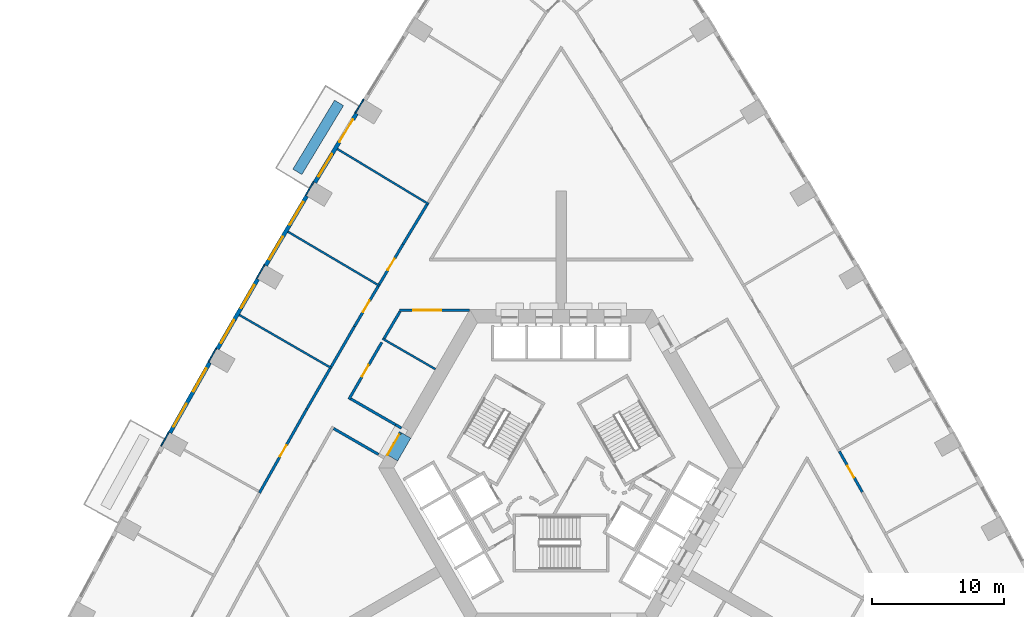
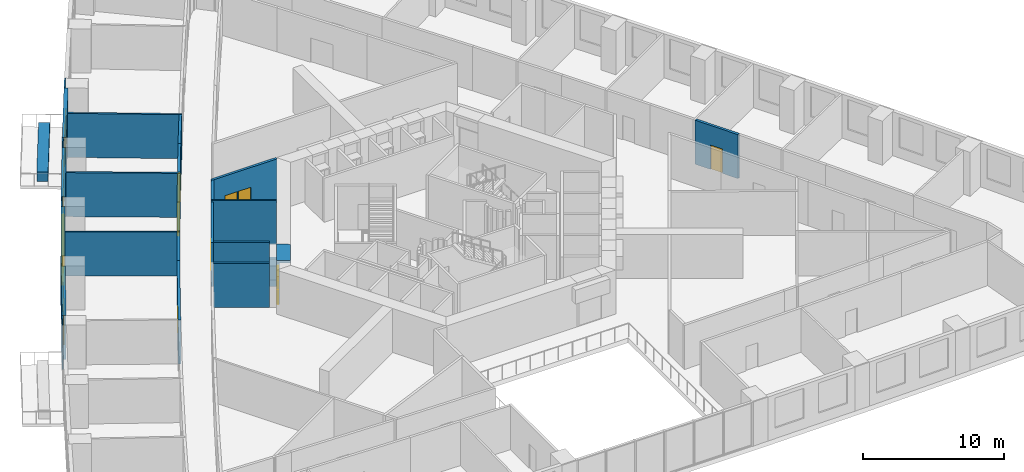
# One storey, part 8 of 16: 29 walls, 9 doors, 7 windows, 16 openings.
"""IFC4 building model written with IfcOpenShell, lengths in metres."""

import ifcopenshell
import ifcopenshell.guid

model = None  # the IFC model being written
_history = None  # IfcOwnerHistory: only IFC2X3 demands one
_inside = {}  # id of a spatial element -> (the spatial element, [elements in it])
_under = {}  # id of a project, library or spatial element -> (it, [spatial elements below it])
_declared = {}  # id of a project -> (the project, [libraries it declares])
_typed = {}  # id of a type object -> (the type object, [elements of that type])
_made_of = {}  # id of a material, layer set ... -> (it, [elements and type objects made of it])


def new_model(schema):
    """Start an empty IFC model of exactly this schema.

    Asked for "IFC4X3", IfcOpenShell would pick the latest addendum, in which some entities
    have other attributes; the version numbers below select the first issue.
    IFC2X3 requires an IfcOwnerHistory on every rooted entity: one is made here for all.
    """
    global model, _history
    if schema == "IFC4X3":
        model = ifcopenshell.file(schema_version=(4, 3, 0, 0))
    else:
        model = ifcopenshell.file(schema=schema)
    _inside.clear()
    _under.clear()
    _declared.clear()
    _typed.clear()
    _made_of.clear()
    _history = None
    if model.schema == "IFC2X3":
        org = make("IfcOrganization", Name="unknown")
        user = make(
            "IfcPersonAndOrganization",
            ThePerson=make("IfcPerson", FamilyName="unknown"),
            TheOrganization=org,
        )
        app = make(
            "IfcApplication",
            ApplicationDeveloper=org,
            Version="unknown",
            ApplicationFullName="unknown",
            ApplicationIdentifier="unknown",
        )
        _history = make(
            "IfcOwnerHistory",
            OwningUser=user,
            OwningApplication=app,
            ChangeAction="ADDED",
            CreationDate=0,
        )
    return model


def make(cls, **values):
    """One entity of the class cls with the attributes given. An attribute that is None is left unset."""
    return model.create_entity(
        cls, **{name: value for name, value in values.items() if value is not None}
    )


def rooted(cls, **values):
    """An entity with a GlobalId (a new one), such as an element, a storey or a relation."""
    return make(cls, GlobalId=ifcopenshell.guid.new(), OwnerHistory=_history, **values)


def si_unit(unit_type, name, prefix=None):
    """IfcSIUnit, for example si_unit("LENGTHUNIT", "METRE", prefix="MILLI")."""
    return make("IfcSIUnit", UnitType=unit_type, Prefix=prefix, Name=name)


def assignment(units):
    """IfcUnitAssignment: the units of a project."""
    return None if units is None else make("IfcUnitAssignment", Units=units)


def point(xyz):
    """IfcCartesianPoint."""
    return None if xyz is None else make("IfcCartesianPoint", Coordinates=xyz)


def direction(xyz):
    """IfcDirection."""
    return None if xyz is None else make("IfcDirection", DirectionRatios=xyz)


def frame(location, z_axis=None, x_axis=None):
    """IfcAxis2Placement3D, a coordinate frame: its origin and axes. An axis left out is left unset."""
    return make(
        "IfcAxis2Placement3D",
        Location=point(location),
        Axis=direction(z_axis),
        RefDirection=direction(x_axis),
    )


def frame_2d(location, x_axis=None):
    """IfcAxis2Placement2D, a coordinate frame in the plane: its origin and x axis."""
    return make(
        "IfcAxis2Placement2D", Location=point(location), RefDirection=direction(x_axis)
    )


def origin():
    """The frame at (0, 0, 0) with its axes left unset."""
    return frame((0.0, 0.0, 0.0))


def place(relative_to, where):
    """IfcLocalPlacement: puts the frame where relative to a parent placement (None: the world)."""
    return make(
        "IfcLocalPlacement", PlacementRelTo=relative_to, RelativePlacement=where
    )


def context(
    kind, dimensions, precision=None, world=None, true_north=None, identifier=None
):
    """IfcGeometricRepresentationContext, for example the 3D "Model" context."""
    return make(
        "IfcGeometricRepresentationContext",
        ContextIdentifier=identifier,
        ContextType=kind,
        CoordinateSpaceDimension=dimensions,
        Precision=precision,
        WorldCoordinateSystem=world,
        TrueNorth=true_north,
    )


def subcontext(parent, identifier, kind, view, scale=None):
    """IfcGeometricRepresentationSubContext, for example "Body" below "Model"."""
    return make(
        "IfcGeometricRepresentationSubContext",
        ContextIdentifier=identifier,
        ContextType=kind,
        ParentContext=parent,
        TargetScale=scale,
        TargetView=view,
    )


def project(units=None, contexts=None):
    """IfcProject with its units and contexts."""
    return rooted(
        "IfcProject",
        Name="project",
        RepresentationContexts=contexts,
        UnitsInContext=assignment(units),
    )


def spatial(cls, under=None, at=None, **own):
    """A site, building, storey or space (cls), placed at a placement, below another one or the project."""
    s = rooted(cls, ObjectPlacement=at, **own)
    if under is not None:
        _under.setdefault(under.id(), (under, []))[1].append(s)
    return s


def polyline(points):
    """IfcPolyline through the points."""
    return make("IfcPolyline", Points=[point(p) for p in points])


def profile(cls, at=None, kind="AREA", **sizes):
    """A parametric profile (cls). Its sizes go by their IFC names, for example OverallWidth=200.0."""
    return make(cls, ProfileType=kind, Position=at, **sizes)


def rectangle(**sizes):
    """IfcRectangleProfileDef."""
    return profile("IfcRectangleProfileDef", **sizes)


def outline(outer, holes=None, kind="AREA"):
    """IfcArbitraryClosedProfileDef: a profile drawn as a closed curve; with holes, ...WithVoids."""
    if holes is None:
        return make("IfcArbitraryClosedProfileDef", ProfileType=kind, OuterCurve=outer)
    return make(
        "IfcArbitraryProfileDefWithVoids",
        ProfileType=kind,
        OuterCurve=outer,
        InnerCurves=holes,
    )


def extrude(swept, where, along, depth):
    """IfcExtrudedAreaSolid: the profile swept, set in the frame where, extruded along a direction by depth."""
    return make(
        "IfcExtrudedAreaSolid",
        SweptArea=swept,
        Position=where,
        ExtrudedDirection=direction(along),
        Depth=depth,
    )


def shape(context_of_items, identifier, shape_type, items):
    """IfcShapeRepresentation: the items that make up one representation, for example the "Body"."""
    return make(
        "IfcShapeRepresentation",
        ContextOfItems=context_of_items,
        RepresentationIdentifier=identifier,
        RepresentationType=shape_type,
        Items=items,
    )


def material(Name=None, Category=None):
    """IfcMaterial."""
    return make("IfcMaterial", Name=Name, Category=Category)


def layer(
    of_material, thickness, ventilated=None, Name=None, Category=None, Priority=None
):
    """IfcMaterialLayer: one layer of a wall or slab, of a material (None: an air gap)."""
    return make(
        "IfcMaterialLayer",
        Material=of_material,
        LayerThickness=thickness,
        IsVentilated=ventilated,
        Name=Name,
        Category=Category,
        Priority=Priority,
    )


def layer_set(layers, Name=None):
    """IfcMaterialLayerSet."""
    return make("IfcMaterialLayerSet", MaterialLayers=layers, LayerSetName=Name)


def made_of(thing, what):
    """Note that an element or type object is made of a material, layer set ...; save() writes the relation."""
    if what is not None:
        _made_of.setdefault(what.id(), (what, []))[1].append(thing)
    return thing


def type_object(cls, material=None, **own):
    """A type object (cls), such as IfcWallType, which elements share."""
    return made_of(rooted(cls, **own), material)


def element(
    cls,
    number,
    at=None,
    inside=None,
    cuts=None,
    type_object=None,
    material=None,
    context=None,
    identifier="Body",
    shape_type=None,
    held_by="IfcProductDefinitionShape",
    body=None,
    shapes=None,
    **own,
):
    """One element of the class cls, such as IfcWall. Its Tag is "e" and its number.

    at: its placement. inside: the storey or other place that contains it. cuts: it is an
    opening in that element (IfcRelVoidsElement). A single representation is given by context,
    identifier, shape_type and body (its items); several are given by shapes. held_by: the class
    of the entity that holds the representations. save() writes the other relations.
    """
    e = rooted(cls, Tag="e%d" % number, ObjectPlacement=at, **own)
    if body is not None:
        shapes = [shape(context, identifier, shape_type, body)]
    if shapes is not None:
        e.Representation = make(held_by, Representations=shapes)
    if inside is not None:
        _inside.setdefault(inside.id(), (inside, []))[1].append(e)
    if cuts is not None:
        rooted(
            "IfcRelVoidsElement", RelatingBuildingElement=cuts, RelatedOpeningElement=e
        )
    if type_object is not None:
        _typed.setdefault(type_object.id(), (type_object, []))[1].append(e)
    return made_of(e, material)


def fill(opening, filler):
    """IfcRelFillsElement: the door or window that sits in an opening."""
    return rooted(
        "IfcRelFillsElement",
        RelatingOpeningElement=opening,
        RelatedBuildingElement=filler,
    )


def aggregate(whole, parts):
    """IfcRelAggregates: a whole, such as a stair, and the parts it consists of."""
    return rooted("IfcRelAggregates", RelatingObject=whole, RelatedObjects=parts)


def save(model, path):
    """Write the relations noted so far, then the file.

    IfcRelAggregates (storeys below a building ...), IfcRelContainedInSpatialStructure (elements
    in a storey), IfcRelDefinesByType, IfcRelAssociatesMaterial and IfcRelDeclares: one each for
    every whole, place, type object, material and project.
    """
    for whole, parts in _under.values():
        aggregate(whole, parts)
    for where, things in _inside.values():
        rooted(
            "IfcRelContainedInSpatialStructure",
            RelatedElements=things,
            RelatingStructure=where,
        )
    for kind, things in _typed.values():
        rooted("IfcRelDefinesByType", RelatedObjects=things, RelatingType=kind)
    for what, things in _made_of.values():
        rooted("IfcRelAssociatesMaterial", RelatedObjects=things, RelatingMaterial=what)
    for by, libraries in _declared.values():
        rooted("IfcRelDeclares", RelatingContext=by, RelatedDefinitions=libraries)
    model.write(path)


model = new_model("IFC4")

# Units and contexts
model_context = context("Model", 3, precision=1e-05, world=origin(), true_north=direction((0.0, 1.0)))
body_context = subcontext(model_context, "Body", "Model", "MODEL_VIEW")
ifc_project = project(units=[si_unit("LENGTHUNIT", "METRE"), si_unit("AREAUNIT", "SQUARE_METRE"), si_unit("VOLUMEUNIT", "CUBIC_METRE"), si_unit("PLANEANGLEUNIT", "RADIAN"), si_unit("MASSUNIT", "GRAM", prefix="KILO")], contexts=[model_context])

# Site, building, storey
site_placement = place(None, origin())
site = spatial("IfcSite", under=ifc_project, at=site_placement, CompositionType="ELEMENT")
building_placement = place(site_placement, origin())
building = spatial("IfcBuilding", under=site, at=building_placement, Name="Entoto Arch Interchange Tower", CompositionType="ELEMENT")
storey_placement = place(building_placement, frame((0.0, 0.0, 43.39990234375)))
storey = spatial("IfcBuildingStorey", under=building, at=storey_placement, Name="L08", CompositionType="ELEMENT", Elevation=43.39990234375)

# Wall, opening, door
ifc_material_1 = material(Name="Reinforced concrete C40/50", Category="concrete")
ifc_layer_1 = layer(ifc_material_1, 0.199951171875)
ifc_layer_set_1 = layer_set([ifc_layer_1], Name="Reinforced concrete C40/50")
wall_type_1 = type_object("IfcWallType", Name="CORE GAP INFILL WALL", PredefinedType="PARTITIONING", material=ifc_layer_set_1)
wall_1_placement = place(storey_placement, frame((-12.179931640625, 5.201904296875, 0.0), z_axis=(0.0, 0.0, 1.0), x_axis=(-0.50002537861, -0.866010750942, 0.0)))
wall_1 = element("IfcWall", 1, at=wall_1_placement, inside=storey, type_object=wall_type_1, Name="wall:L08:gap3", PredefinedType="PARTITIONING", context=body_context, shape_type="SweptSolid", body=[
    extrude(rectangle(XDim=2.0, YDim=0.199951171875, at=frame_2d((1.0, 0.0))), origin(), (0.0, 0.0, 1.0), 2.400146484375),
])
opening_1_placement = place(wall_1_placement, frame((0.18994140625, 0.0, 0.0)))
opening_1 = element("IfcOpeningElement", 2, at=opening_1_placement, cuts=wall_1, Name="Opening L08-D93", PredefinedType="OPENING", context=body_context, shape_type="SweptSolid", body=[
    extrude(rectangle(XDim=1.800048828125, YDim=2.10009765625, at=frame_2d((0.89990234375, 1.050048828125))), frame((0.0, 0.10986328125, 0.0), z_axis=(0.0, -1.0, 0.0), x_axis=(1.0, 0.0, 0.0)), (0.0, 0.0, 1.0), 0.219970703125),
])
ifc_material_2 = material(Name="Fire-rated Steel S235 door and frame", Category="steel")
door_type_1 = type_object("IfcDoorType", Name="DOOR FD-18 1800x2100", OperationType="DOUBLE_DOOR_SINGLE_SWING", PredefinedType="DOOR", material=ifc_material_2)
door_1_placement = place(opening_1_placement, origin())
door_1 = element("IfcDoor", 3, at=door_1_placement, inside=storey, type_object=door_type_1, Name="door:L08:gap3", OperationType="DOUBLE_DOOR_SINGLE_SWING", OverallHeight=2.10009765625, OverallWidth=1.800048828125, PredefinedType="DOOR", context=body_context, shape_type="SweptSolid", body=[
    extrude(rectangle(XDim=1.800048828125, YDim=2.10009765625, at=frame_2d((0.89990234375, 1.050048828125))), frame((0.0, 0.02490234375, 0.0), z_axis=(0.0, -1.0, 0.0), x_axis=(1.0, 0.0, 0.0)), (0.0, 0.0, 1.0), 0.050048828125),
])
fill(opening_1, door_1)

# Walls
ifc_material_3 = material(Name="Concrete C60/75", Category="concrete")
ifc_layer_2 = layer(ifc_material_3, 1.0)
ifc_layer_set_2 = layer_set([ifc_layer_2], Name="Concrete C60/75")
wall_type_2 = type_object("IfcWallType", Name="Core wall 1000 C60/75", PredefinedType="SHEAR", material=ifc_layer_set_2)
wall_2_placement = place(storey_placement, frame((0.0, 0.0, 3.60009765625)))
element("IfcWall", 4, at=wall_2_placement, inside=storey, type_object=wall_type_2, Name="Core wall lintel NW L08", PredefinedType="SHEAR", context=body_context, shape_type="SweptSolid", body=[
    extrude(outline(polyline([(-13.26708984375, 3.52001953125), (-12.402099609375, 3.02001953125), (-11.402099609375, 4.751953125), (-12.26708984375, 5.251953125), (-13.26708984375, 3.52001953125)])), origin(), (0.0, 0.0, 1.0), 0.199951171875),
])
ifc_material_4 = material(Name="Gypsum board partition on steel studs", Category="steel")
ifc_layer_3 = layer(ifc_material_4, 0.14990234375)
ifc_layer_set_3 = layer_set([ifc_layer_3], Name="Gypsum board partition on steel studs")
wall_type_3 = type_object("IfcWallType", Name="PARTITION 150", PredefinedType="PARTITIONING", material=ifc_layer_set_3)
wall_3_placement = place(storey_placement, frame((-13.553955078125, 12.300048828125, 0.0), z_axis=(0.0, 0.0, 1.0), x_axis=(0.866028685375, -0.499994316075, 0.0)))
element("IfcWall", 5, at=wall_3_placement, inside=storey, type_object=wall_type_3, Name="wall:L08:p084", PredefinedType="PARTITIONING", context=body_context, shape_type="SweptSolid", body=[
    extrude(rectangle(XDim=4.63818359375, YDim=0.14990234375, at=frame_2d((2.319091796875, 0.0))), origin(), (0.0, 0.0, 1.0), 3.800048828125),
])
wall_4_placement = place(storey_placement, frame((-10.0419921875, 22.4970703125, 0.0), z_axis=(0.0, 0.0, 1.0), x_axis=(-0.855818252, 0.517276637346, 0.0)))
element("IfcWall", 6, at=wall_4_placement, inside=storey, type_object=wall_type_3, Name="wall:L08:p138", PredefinedType="PARTITIONING", context=body_context, shape_type="SweptSolid", body=[
    extrude(rectangle(XDim=8.10009765625, YDim=0.14990234375, at=frame_2d((4.050048828125, 0.0))), origin(), (0.0, 0.0, 1.0), 3.800048828125),
])
wall_5_placement = place(storey_placement, frame((-13.751953125, 16.2890625, 0.0), z_axis=(0.0, 0.0, 1.0), x_axis=(-0.86093852802, 0.508709004216, 0.0)))
element("IfcWall", 7, at=wall_5_placement, inside=storey, type_object=wall_type_3, Name="wall:L08:p139", PredefinedType="PARTITIONING", context=body_context, shape_type="SweptSolid", body=[
    extrude(rectangle(XDim=8.1005859375, YDim=0.14990234375, at=frame_2d((4.05029296875, 0.0))), origin(), (0.0, 0.0, 1.0), 3.800048828125),
])
wall_6_placement = place(storey_placement, frame((-17.39892578125, 10.044921875, 0.0), z_axis=(0.0, 0.0, 1.0), x_axis=(-0.865980803489, 0.500077242023, 0.0)))
element("IfcWall", 8, at=wall_6_placement, inside=storey, type_object=wall_type_3, Name="wall:L08:p140", PredefinedType="PARTITIONING", context=body_context, shape_type="SweptSolid", body=[
    extrude(rectangle(XDim=8.100830078125, YDim=0.14990234375, at=frame_2d((4.05029296875, 0.0))), origin(), (0.0, 0.0, 1.0), 3.800048828125),
])

# Wall, opening, door
ifc_layer_4 = layer(ifc_material_4, 0.199951171875)
ifc_layer_set_4 = layer_set([ifc_layer_4], Name="Gypsum board partition on steel studs")
wall_type_4 = type_object("IfcWallType", Name="PARTITION 200", PredefinedType="PARTITIONING", material=ifc_layer_set_4)
wall_7_placement = place(storey_placement, frame((-13.60595703125, 12.01611328125, 0.0), z_axis=(0.0, 0.0, 1.0), x_axis=(-0.499992180995, -0.866029918042, 0.0)))
wall_7 = element("IfcWall", 9, at=wall_7_placement, inside=storey, type_object=wall_type_4, Name="wall:L08:p001", PredefinedType="PARTITIONING", context=body_context, shape_type="SweptSolid", body=[
    extrude(rectangle(XDim=4.98828125, YDim=0.199951171875, at=frame_2d((2.494140625, 0.0))), origin(), (0.0, 0.0, 1.0), 3.800048828125),
])
opening_2_placement = place(wall_7_placement, frame((1.993896484375, 0.0, 0.0)))
opening_2 = element("IfcOpeningElement", 10, at=opening_2_placement, cuts=wall_7, Name="Opening L08-D34", PredefinedType="OPENING", context=body_context, shape_type="SweptSolid", body=[
    extrude(rectangle(XDim=1.0, YDim=2.10009765625, at=frame_2d((0.5, 1.050048828125))), frame((0.0, 0.10986328125, 0.0), z_axis=(0.0, -1.0, 0.0), x_axis=(1.0, 0.0, 0.0)), (0.0, 0.0, 1.0), 0.219970703125),
])
ifc_material_5 = material(Name="Timber door leaf in Steel S235 frame", Category="steel")
door_type_2 = type_object("IfcDoorType", Name="DOOR DS-10 1000x2100", OperationType="SINGLE_SWING_LEFT", PredefinedType="DOOR", material=ifc_material_5)
door_2_placement = place(opening_2_placement, origin())
door_2 = element("IfcDoor", 11, at=door_2_placement, inside=storey, type_object=door_type_2, Name="door:L08:34", OperationType="SINGLE_SWING_LEFT", OverallHeight=2.10009765625, OverallWidth=1.0, PredefinedType="DOOR", context=body_context, shape_type="SweptSolid", body=[
    extrude(rectangle(XDim=1.0, YDim=2.10009765625, at=frame_2d((0.5, 1.050048828125))), frame((0.0, 0.02490234375, 0.0), z_axis=(0.0, -1.0, 0.0), x_axis=(1.0, 0.0, 0.0)), (0.0, 0.0, 1.0), 0.050048828125),
])
fill(opening_2, door_2)

# Walls
wall_8_placement = place(storey_placement, frame((-15.962890625, 7.73291015625, 0.0), z_axis=(0.0, 0.0, 1.0), x_axis=(0.865965832374, -0.500103166518, 0.0)))
element("IfcWall", 12, at=wall_8_placement, inside=storey, type_object=wall_type_4, Name="wall:L08:p002", PredefinedType="PARTITIONING", context=body_context, shape_type="SweptSolid", body=[
    extrude(rectangle(XDim=3.941162109375, YDim=0.199951171875, at=frame_2d((1.970703125, 0.0))), origin(), (0.0, 0.0, 1.0), 3.800048828125),
])
wall_9_placement = place(storey_placement, frame((-12.218017578125, 14.364013671875, 0.0), z_axis=(0.0, 0.0, 1.0), x_axis=(-0.508767325294, -0.860904064756, 0.0)))
element("IfcWall", 13, at=wall_9_placement, inside=storey, type_object=wall_type_4, Name="wall:L08:p003", PredefinedType="PARTITIONING", context=body_context, shape_type="SweptSolid", body=[
    extrude(rectangle(XDim=2.380126953125, YDim=0.199951171875, at=frame_2d((1.18994140625, 0.0))), origin(), (0.0, 0.0, 1.0), 3.800048828125),
])
wall_10_placement = place(storey_placement, frame((-17.260986328125, 5.47998046875, 0.0), z_axis=(0.0, 0.0, 1.0), x_axis=(0.865949187497, -0.500131987253, 0.0)))
element("IfcWall", 14, at=wall_10_placement, inside=storey, type_object=wall_type_4, Name="wall:L08:p025", PredefinedType="PARTITIONING", context=body_context, shape_type="SweptSolid", body=[
    extrude(rectangle(XDim=3.93896484375, YDim=0.199951171875, at=frame_2d((1.969482421875, 0.0))), origin(), (0.0, 0.0, 1.0), 3.800048828125),
])

# Wall, opening, door
wall_11_placement = place(storey_placement, frame((21.10693359375, 3.7490234375, 0.0), z_axis=(0.0, 0.0, 1.0), x_axis=(0.491268894998, -0.871007963687, 0.0)))
wall_11 = element("IfcWall", 15, at=wall_11_placement, inside=storey, type_object=wall_type_4, Name="wall:L08:p043", PredefinedType="PARTITIONING", context=body_context, shape_type="SweptSolid", body=[
    extrude(rectangle(XDim=3.541748046875, YDim=0.199951171875, at=frame_2d((1.77099609375, 0.0))), origin(), (0.0, 0.0, 1.0), 3.800048828125),
])
opening_3_placement = place(wall_11_placement, frame((1.27099609375, 0.0, 0.0)))
opening_3 = element("IfcOpeningElement", 16, at=opening_3_placement, cuts=wall_11, Name="Opening L08-D05", PredefinedType="OPENING", context=body_context, shape_type="SweptSolid", body=[
    extrude(rectangle(XDim=1.0, YDim=2.10009765625, at=frame_2d((0.5, 1.050048828125))), frame((0.0, 0.10986328125, 0.0), z_axis=(0.0, -1.0, 0.0), x_axis=(1.0, 0.0, 0.0)), (0.0, 0.0, 1.0), 0.219970703125),
])
door_3_placement = place(opening_3_placement, origin())
door_3 = element("IfcDoor", 17, at=door_3_placement, inside=storey, type_object=door_type_2, Name="door:L08:05", OperationType="SINGLE_SWING_LEFT", OverallHeight=2.10009765625, OverallWidth=1.0, PredefinedType="DOOR", context=body_context, shape_type="SweptSolid", body=[
    extrude(rectangle(XDim=1.0, YDim=2.10009765625, at=frame_2d((0.5, 1.050048828125))), frame((0.0, 0.02490234375, 0.0), z_axis=(0.0, -1.0, 0.0), x_axis=(1.0, 0.0, 0.0)), (0.0, 0.0, 1.0), 0.050048828125),
])
fill(opening_3, door_3)

wall_12_placement = place(storey_placement, frame((-13.800048828125, 16.404052734375, 0.0), z_axis=(0.0, 0.0, 1.0), x_axis=(0.508666621784, 0.860963569428, 0.0)))
wall_12 = element("IfcWall", 18, at=wall_12_placement, inside=storey, type_object=wall_type_4, Name="wall:L08:p058", PredefinedType="PARTITIONING", context=body_context, shape_type="SweptSolid", body=[
    extrude(rectangle(XDim=3.54248046875, YDim=0.199951171875, at=frame_2d((1.771240234375, 0.0))), origin(), (0.0, 0.0, 1.0), 3.800048828125),
])
opening_4_placement = place(wall_12_placement, frame((1.27099609375, 0.0, 0.0)))
opening_4 = element("IfcOpeningElement", 19, at=opening_4_placement, cuts=wall_12, Name="Opening L08-D14", PredefinedType="OPENING", context=body_context, shape_type="SweptSolid", body=[
    extrude(rectangle(XDim=1.0, YDim=2.10009765625, at=frame_2d((0.5, 1.050048828125))), frame((0.0, 0.10986328125, 0.0), z_axis=(0.0, -1.0, 0.0), x_axis=(1.0, 0.0, 0.0)), (0.0, 0.0, 1.0), 0.219970703125),
])
door_4_placement = place(opening_4_placement, origin())
door_4 = element("IfcDoor", 20, at=door_4_placement, inside=storey, type_object=door_type_2, Name="door:L08:14", OperationType="SINGLE_SWING_LEFT", OverallHeight=2.10009765625, OverallWidth=1.0, PredefinedType="DOOR", context=body_context, shape_type="SweptSolid", body=[
    extrude(rectangle(XDim=1.0, YDim=2.10009765625, at=frame_2d((0.5, 1.050048828125))), frame((0.0, 0.02490234375, 0.0), z_axis=(0.0, -1.0, 0.0), x_axis=(1.0, 0.0, 0.0)), (0.0, 0.0, 1.0), 0.050048828125),
])
fill(opening_4, door_4)

# Walls
wall_13_placement = place(storey_placement, frame((-11.998046875, 19.4541015625, 0.0), z_axis=(0.0, 0.0, 1.0), x_axis=(0.51707881094, 0.85593779171, 0.0)))
element("IfcWall", 21, at=wall_13_placement, inside=storey, type_object=wall_type_4, Name="wall:L08:p059", PredefinedType="PARTITIONING", context=body_context, shape_type="SweptSolid", body=[
    extrude(rectangle(XDim=3.541259765625, YDim=0.199951171875, at=frame_2d((1.7705078125, 0.0))), origin(), (0.0, 0.0, 1.0), 3.800048828125),
])
wall_14_placement = place(storey_placement, frame((-17.447998046875, 10.159912109375, 0.0), z_axis=(0.0, 0.0, 1.0), x_axis=(0.499951278228, 0.866053531485, 0.0)))
element("IfcWall", 22, at=wall_14_placement, inside=storey, type_object=wall_type_4, Name="wall:L08:p060", PredefinedType="PARTITIONING", context=body_context, shape_type="SweptSolid", body=[
    extrude(rectangle(XDim=3.540283203125, YDim=0.199951171875, at=frame_2d((1.77001953125, 0.0))), origin(), (0.0, 0.0, 1.0), 3.800048828125),
])

# Wall, opening, door
wall_15_placement = place(storey_placement, frame((-15.677978515625, 13.22607421875, 0.0), z_axis=(0.0, 0.0, 1.0), x_axis=(0.508613166028, 0.860995149431, 0.0)))
wall_15 = element("IfcWall", 23, at=wall_15_placement, inside=storey, type_object=wall_type_4, Name="wall:L08:p061", PredefinedType="PARTITIONING", context=body_context, shape_type="SweptSolid", body=[
    extrude(rectangle(XDim=3.541015625, YDim=0.199951171875, at=frame_2d((1.7705078125, 0.0))), origin(), (0.0, 0.0, 1.0), 3.800048828125),
])
opening_5_placement = place(wall_15_placement, frame((1.27099609375, 0.0, 0.0)))
opening_5 = element("IfcOpeningElement", 24, at=opening_5_placement, cuts=wall_15, Name="Opening L08-D15", PredefinedType="OPENING", context=body_context, shape_type="SweptSolid", body=[
    extrude(rectangle(XDim=1.0, YDim=2.10009765625, at=frame_2d((0.5, 1.050048828125))), frame((0.0, 0.10986328125, 0.0), z_axis=(0.0, -1.0, 0.0), x_axis=(1.0, 0.0, 0.0)), (0.0, 0.0, 1.0), 0.219970703125),
])
door_5_placement = place(opening_5_placement, origin())
door_5 = element("IfcDoor", 25, at=door_5_placement, inside=storey, type_object=door_type_2, Name="door:L08:15", OperationType="SINGLE_SWING_LEFT", OverallHeight=2.10009765625, OverallWidth=1.0, PredefinedType="DOOR", context=body_context, shape_type="SweptSolid", body=[
    extrude(rectangle(XDim=1.0, YDim=2.10009765625, at=frame_2d((0.5, 1.050048828125))), frame((0.0, 0.02490234375, 0.0), z_axis=(0.0, -1.0, 0.0), x_axis=(1.0, 0.0, 0.0)), (0.0, 0.0, 1.0), 0.050048828125),
])
fill(opening_5, door_5)

wall_16_placement = place(storey_placement, frame((-22.884033203125, 0.597900390625, 0.0), z_axis=(0.0, 0.0, 1.0), x_axis=(0.491206176175, 0.871043335597, 0.0)))
wall_16 = element("IfcWall", 26, at=wall_16_placement, inside=storey, type_object=wall_type_4, Name="wall:L08:p062", PredefinedType="PARTITIONING", context=body_context, shape_type="SweptSolid", body=[
    extrude(rectangle(XDim=7.308837890625, YDim=0.199951171875, at=frame_2d((3.654296875, 0.0))), origin(), (0.0, 0.0, 1.0), 3.800048828125),
])
opening_6_placement = place(wall_16_placement, frame((3.154052734375, 0.0, 0.0)))
opening_6 = element("IfcOpeningElement", 27, at=opening_6_placement, cuts=wall_16, Name="Opening L08-D16", PredefinedType="OPENING", context=body_context, shape_type="SweptSolid", body=[
    extrude(rectangle(XDim=1.0, YDim=2.10009765625, at=frame_2d((0.5, 1.050048828125))), frame((0.0, 0.10986328125, 0.0), z_axis=(0.0, -1.0, 0.0), x_axis=(1.0, 0.0, 0.0)), (0.0, 0.0, 1.0), 0.219970703125),
])
door_6_placement = place(opening_6_placement, origin())
door_6 = element("IfcDoor", 28, at=door_6_placement, inside=storey, type_object=door_type_2, Name="door:L08:16", OperationType="SINGLE_SWING_RIGHT", OverallHeight=2.10009765625, OverallWidth=1.0, PredefinedType="DOOR", context=body_context, shape_type="SweptSolid", body=[
    extrude(rectangle(XDim=1.0, YDim=2.10009765625, at=frame_2d((0.5, 1.050048828125))), frame((0.0, 0.02490234375, 0.0), z_axis=(0.0, -1.0, 0.0), x_axis=(1.0, 0.0, 0.0)), (0.0, 0.0, 1.0), 0.050048828125),
])
fill(opening_6, door_6)

# Wall
wall_17_placement = place(storey_placement, frame((-19.2939453125, 6.964111328125, 0.0), z_axis=(0.0, 0.0, 1.0), x_axis=(0.499861717316, 0.86610522661, 0.0)))
element("IfcWall", 29, at=wall_17_placement, inside=storey, type_object=wall_type_4, Name="wall:L08:p063", PredefinedType="PARTITIONING", context=body_context, shape_type="SweptSolid", body=[
    extrude(rectangle(XDim=3.541015625, YDim=0.199951171875, at=frame_2d((1.7705078125, 0.0))), origin(), (0.0, 0.0, 1.0), 3.800048828125),
])

# Wall, openings, doors
wall_18_placement = place(storey_placement, frame((-6.95703125, 14.449951171875, 0.0), z_axis=(0.0, 0.0, 1.0), x_axis=(-1.0, 0.0, 0.0)))
wall_18 = element("IfcWall", 30, at=wall_18_placement, inside=storey, type_object=wall_type_4, Name="wall:L08:p085", PredefinedType="PARTITIONING", context=body_context, shape_type="SweptSolid", body=[
    extrude(rectangle(XDim=5.31005859375, YDim=0.199951171875, at=frame_2d((2.655029296875, 0.0))), origin(), (0.0, 0.0, 1.0), 3.800048828125),
])
opening_7_placement = place(wall_18_placement, frame((2.155029296875, 0.0, 0.0)))
opening_7 = element("IfcOpeningElement", 31, at=opening_7_placement, cuts=wall_18, Name="Opening L08-D35", PredefinedType="OPENING", context=body_context, shape_type="SweptSolid", body=[
    extrude(rectangle(XDim=1.0, YDim=2.10009765625, at=frame_2d((0.5, 1.050048828125))), frame((0.0, 0.10986328125, 0.0), z_axis=(0.0, -1.0, 0.0), x_axis=(1.0, 0.0, 0.0)), (0.0, 0.0, 1.0), 0.219970703125),
])
opening_8_placement = place(wall_18_placement, frame((3.2548828125, 0.0, 0.0)))
opening_8 = element("IfcOpeningElement", 32, at=opening_8_placement, cuts=wall_18, Name="Opening L08-D43", PredefinedType="OPENING", context=body_context, shape_type="SweptSolid", body=[
    extrude(rectangle(XDim=1.0, YDim=2.10009765625, at=frame_2d((0.5, 1.050048828125))), frame((0.0, 0.10986328125, 0.0), z_axis=(0.0, -1.0, 0.0), x_axis=(1.0, 0.0, 0.0)), (0.0, 0.0, 1.0), 0.219970703125),
])
door_7_placement = place(opening_7_placement, origin())
door_7 = element("IfcDoor", 33, at=door_7_placement, inside=storey, type_object=door_type_2, Name="door:L08:35", OperationType="SINGLE_SWING_LEFT", OverallHeight=2.10009765625, OverallWidth=1.0, PredefinedType="DOOR", context=body_context, shape_type="SweptSolid", body=[
    extrude(rectangle(XDim=1.0, YDim=2.10009765625, at=frame_2d((0.5, 1.050048828125))), frame((0.0, 0.02490234375, 0.0), z_axis=(0.0, -1.0, 0.0), x_axis=(1.0, 0.0, 0.0)), (0.0, 0.0, 1.0), 0.050048828125),
])
fill(opening_7, door_7)
door_8_placement = place(opening_8_placement, origin())
door_8 = element("IfcDoor", 34, at=door_8_placement, inside=storey, type_object=door_type_2, Name="door:L08:43", OperationType="SINGLE_SWING_RIGHT", OverallHeight=2.10009765625, OverallWidth=1.0, PredefinedType="DOOR", context=body_context, shape_type="SweptSolid", body=[
    extrude(rectangle(XDim=1.0, YDim=2.10009765625, at=frame_2d((0.5, 1.050048828125))), frame((0.0, 0.02490234375, 0.0), z_axis=(0.0, -1.0, 0.0), x_axis=(1.0, 0.0, 0.0)), (0.0, 0.0, 1.0), 0.050048828125),
])
fill(opening_8, door_8)

# Walls
wall_19_placement = place(storey_placement, frame((-12.550048828125, 5.761962890625, 0.0), z_axis=(0.0, 0.0, 1.0), x_axis=(0.866071776036, -0.499919672301, 0.0)))
element("IfcWall", 35, at=wall_19_placement, inside=storey, type_object=wall_type_4, Name="wall:L08:p002", PredefinedType="PARTITIONING", context=body_context, shape_type="SweptSolid", body=[
    extrude(rectangle(XDim=0.5, YDim=0.199951171875, at=frame_2d((0.25, 0.0))), origin(), (0.0, 0.0, 1.0), 2.400146484375),
])
ifc_material_6 = material(Name="Board-marked precast concrete C50/60", Category="concrete")
ifc_layer_5 = layer(ifc_material_6, 0.800048828125)
ifc_layer_set_5 = layer_set([ifc_layer_5], Name="Board-marked precast concrete C50/60")
wall_type_5 = type_object("IfcWallType", Name="PLANTER RC 800 Vachellia abyssinica", PredefinedType="STANDARD", material=ifc_layer_set_5)
wall_20_placement = place(storey_placement, frame((-16.847900390625, 30.18408203125, 0.0), z_axis=(0.0, 0.0, 1.0), x_axis=(-0.517211293816, -0.855857743757, 0.0)))
element("IfcWall", 36, at=wall_20_placement, inside=storey, type_object=wall_type_5, Name="Planter NW-03 L08", PredefinedType="STANDARD", context=body_context, shape_type="SweptSolid", body=[
    extrude(rectangle(XDim=6.11572265625, YDim=0.800048828125, at=frame_2d((3.057861328125, 0.0))), origin(), (0.0, 0.0, 1.0), 0.800048828125),
])

# Wall, openings, door, window
ifc_material_7 = material(Name="Welded tuff (ignimbrite) cladding, warm buff", Category="masonry")
ifc_layer_6 = layer(ifc_material_7, 0.300048828125)
ifc_layer_set_6 = layer_set([ifc_layer_6], Name="Welded tuff (ignimbrite) cladding, warm buff")
wall_type_6 = type_object("IfcWallType", Name="STONE INFILL WALL 300", PredefinedType="STANDARD", material=ifc_layer_set_6)
wall_21_placement = place(storey_placement, frame((-15.52099609375, 29.382080078125, 0.0), z_axis=(0.0, 0.0, 1.0), x_axis=(-0.517211293816, -0.855857743757, 0.0)))
wall_21 = element("IfcWall", 37, at=wall_21_placement, inside=storey, type_object=wall_type_6, Name="Facade wall NW-03 L08", PredefinedType="STANDARD", context=body_context, shape_type="SweptSolid", body=[
    extrude(rectangle(XDim=6.11572265625, YDim=0.300048828125, at=frame_2d((3.057861328125, 0.0))), origin(), (0.0, 0.0, 1.0), 3.800048828125),
])
opening_9_placement = place(wall_21_placement, frame((0.529052734375, 0.0, 0.0)))
opening_9 = element("IfcOpeningElement", 38, at=opening_9_placement, cuts=wall_21, Name="Opening DB-NW-03-L08", PredefinedType="OPENING", context=body_context, shape_type="SweptSolid", body=[
    extrude(rectangle(XDim=2.0, YDim=2.39990234375, at=frame_2d((1.0, 1.199951171875))), frame((0.0, 0.16015625, 0.0), z_axis=(0.0, -1.0, 0.0), x_axis=(1.0, 0.0, 0.0)), (0.0, 0.0, 1.0), 0.320068359375),
])
opening_10_placement = place(wall_21_placement, frame((3.5869140625, 0.0, 0.89990234375)))
opening_10 = element("IfcOpeningElement", 39, at=opening_10_placement, cuts=wall_21, Name="Opening WO-C", PredefinedType="OPENING", context=body_context, shape_type="SweptSolid", body=[
    extrude(rectangle(XDim=2.0, YDim=2.60009765625, at=frame_2d((1.0, 1.300048828125))), frame((0.0, 0.16015625, 0.0), z_axis=(0.0, -1.0, 0.0), x_axis=(1.0, 0.0, 0.0)), (0.0, 0.0, 1.0), 0.320068359375),
])
ifc_material_8 = material(Name="Aluminium and clear glass, anodised", Category="aluminium")
door_type_3 = type_object("IfcDoorType", Name="BALCONY DOOR DB 2000x2400", OperationType="SLIDING_TO_LEFT", PredefinedType="DOOR", material=ifc_material_8)
door_9_placement = place(opening_9_placement, origin())
door_9 = element("IfcDoor", 40, at=door_9_placement, inside=storey, type_object=door_type_3, Name="Balcony door NW-03 L08", OperationType="SLIDING_TO_LEFT", OverallHeight=2.39990234375, OverallWidth=2.0, PredefinedType="DOOR", context=body_context, shape_type="SweptSolid", body=[
    extrude(rectangle(XDim=2.0, YDim=2.39990234375, at=frame_2d((1.0, 1.199951171875))), frame((0.0, 0.02490234375, 0.0), z_axis=(0.0, -1.0, 0.0), x_axis=(1.0, 0.0, 0.0)), (0.0, 0.0, 1.0), 0.050048828125),
])
fill(opening_9, door_9)
ifc_material_9 = material(Name="Clear glass, low-e double glazed", Category="glass")
window_type = type_object("IfcWindowType", Name="WINDOW WO-C 2000x2600", PartitioningType="DOUBLE_PANEL_VERTICAL", PredefinedType="WINDOW", material=ifc_material_9)
window_1_placement = place(opening_10_placement, origin())
window_1 = element("IfcWindow", 41, at=window_1_placement, inside=storey, type_object=window_type, Name="Window WO-C NW-03 L08", OverallHeight=2.60009765625, OverallWidth=2.0, PartitioningType="SINGLE_PANEL", PredefinedType="WINDOW", context=body_context, shape_type="SweptSolid", body=[
    extrude(rectangle(XDim=2.0, YDim=2.60009765625, at=frame_2d((1.0, 1.300048828125))), frame((0.0, 0.030029296875, 0.0), z_axis=(0.0, -1.0, 0.0), x_axis=(1.0, 0.0, 0.0)), (0.0, 0.0, 1.0), 0.06005859375),
])
fill(opening_10, window_1)

# Wall, openings, windows
wall_22_placement = place(storey_placement, frame((-19.299072265625, 23.118896484375, 0.0), z_axis=(0.0, 0.0, 1.0), x_axis=(-0.508749483145, -0.860914608658, 0.0)))
wall_22 = element("IfcWall", 42, at=wall_22_placement, inside=storey, type_object=wall_type_6, Name="Facade wall NW-04 L08", PredefinedType="STANDARD", context=body_context, shape_type="SweptSolid", body=[
    extrude(rectangle(XDim=6.11669921875, YDim=0.300048828125, at=frame_2d((3.058349609375, 0.0))), origin(), (0.0, 0.0, 1.0), 3.800048828125),
])
opening_11_placement = place(wall_22_placement, frame((0.529052734375, 0.0, 0.89990234375)))
opening_11 = element("IfcOpeningElement", 43, at=opening_11_placement, cuts=wall_22, Name="Opening WO-C", PredefinedType="OPENING", context=body_context, shape_type="SweptSolid", body=[
    extrude(rectangle(XDim=2.0, YDim=2.60009765625, at=frame_2d((1.0, 1.300048828125))), frame((0.0, 0.16015625, 0.0), z_axis=(0.0, -1.0, 0.0), x_axis=(1.0, 0.0, 0.0)), (0.0, 0.0, 1.0), 0.320068359375),
])
opening_12_placement = place(wall_22_placement, frame((3.587890625, 0.0, 0.89990234375)))
opening_12 = element("IfcOpeningElement", 44, at=opening_12_placement, cuts=wall_22, Name="Opening WO-C", PredefinedType="OPENING", context=body_context, shape_type="SweptSolid", body=[
    extrude(rectangle(XDim=2.0, YDim=2.60009765625, at=frame_2d((1.0, 1.300048828125))), frame((0.0, 0.16015625, 0.0), z_axis=(0.0, -1.0, 0.0), x_axis=(1.0, 0.0, 0.0)), (0.0, 0.0, 1.0), 0.320068359375),
])
window_2_placement = place(opening_11_placement, origin())
window_2 = element("IfcWindow", 45, at=window_2_placement, inside=storey, type_object=window_type, Name="Window WO-C NW-04 L08", OverallHeight=2.60009765625, OverallWidth=2.0, PartitioningType="SINGLE_PANEL", PredefinedType="WINDOW", context=body_context, shape_type="SweptSolid", body=[
    extrude(rectangle(XDim=2.0, YDim=2.60009765625, at=frame_2d((1.0, 1.300048828125))), frame((0.0, 0.030029296875, 0.0), z_axis=(0.0, -1.0, 0.0), x_axis=(1.0, 0.0, 0.0)), (0.0, 0.0, 1.0), 0.06005859375),
])
fill(opening_11, window_2)
window_3_placement = place(opening_12_placement, origin())
window_3 = element("IfcWindow", 46, at=window_3_placement, inside=storey, type_object=window_type, Name="Window WO-C NW-04 L08", OverallHeight=2.60009765625, OverallWidth=2.0, PartitioningType="SINGLE_PANEL", PredefinedType="WINDOW", context=body_context, shape_type="SweptSolid", body=[
    extrude(rectangle(XDim=2.0, YDim=2.60009765625, at=frame_2d((1.0, 1.300048828125))), frame((0.0, 0.030029296875, 0.0), z_axis=(0.0, -1.0, 0.0), x_axis=(1.0, 0.0, 0.0)), (0.0, 0.0, 1.0), 0.06005859375),
])
fill(opening_12, window_3)

wall_23_placement = place(storey_placement, frame((-23.014892578125, 16.819091796875, 0.0), z_axis=(0.0, 0.0, 1.0), x_axis=(-0.499976985038, -0.866038691071, 0.0)))
wall_23 = element("IfcWall", 47, at=wall_23_placement, inside=storey, type_object=wall_type_6, Name="Facade wall NW-05 L08", PredefinedType="STANDARD", context=body_context, shape_type="SweptSolid", body=[
    extrude(rectangle(XDim=6.116455078125, YDim=0.300048828125, at=frame_2d((3.05810546875, 0.0))), origin(), (0.0, 0.0, 1.0), 3.800048828125),
])
opening_13_placement = place(wall_23_placement, frame((0.529052734375, 0.0, 0.89990234375)))
opening_13 = element("IfcOpeningElement", 48, at=opening_13_placement, cuts=wall_23, Name="Opening WO-C", PredefinedType="OPENING", context=body_context, shape_type="SweptSolid", body=[
    extrude(rectangle(XDim=2.0, YDim=2.60009765625, at=frame_2d((1.0, 1.300048828125))), frame((0.0, 0.16015625, 0.0), z_axis=(0.0, -1.0, 0.0), x_axis=(1.0, 0.0, 0.0)), (0.0, 0.0, 1.0), 0.320068359375),
])
opening_14_placement = place(wall_23_placement, frame((3.5869140625, 0.0, 0.89990234375)))
opening_14 = element("IfcOpeningElement", 49, at=opening_14_placement, cuts=wall_23, Name="Opening WO-C", PredefinedType="OPENING", context=body_context, shape_type="SweptSolid", body=[
    extrude(rectangle(XDim=2.0, YDim=2.60009765625, at=frame_2d((1.0, 1.300048828125))), frame((0.0, 0.16015625, 0.0), z_axis=(0.0, -1.0, 0.0), x_axis=(1.0, 0.0, 0.0)), (0.0, 0.0, 1.0), 0.320068359375),
])
window_4_placement = place(opening_13_placement, origin())
window_4 = element("IfcWindow", 50, at=window_4_placement, inside=storey, type_object=window_type, Name="Window WO-C NW-05 L08", OverallHeight=2.60009765625, OverallWidth=2.0, PartitioningType="SINGLE_PANEL", PredefinedType="WINDOW", context=body_context, shape_type="SweptSolid", body=[
    extrude(rectangle(XDim=2.0, YDim=2.60009765625, at=frame_2d((1.0, 1.300048828125))), frame((0.0, 0.030029296875, 0.0), z_axis=(0.0, -1.0, 0.0), x_axis=(1.0, 0.0, 0.0)), (0.0, 0.0, 1.0), 0.06005859375),
])
fill(opening_13, window_4)
window_5_placement = place(opening_14_placement, origin())
window_5 = element("IfcWindow", 51, at=window_5_placement, inside=storey, type_object=window_type, Name="Window WO-C NW-05 L08", OverallHeight=2.60009765625, OverallWidth=2.0, PartitioningType="SINGLE_PANEL", PredefinedType="WINDOW", context=body_context, shape_type="SweptSolid", body=[
    extrude(rectangle(XDim=2.0, YDim=2.60009765625, at=frame_2d((1.0, 1.300048828125))), frame((0.0, 0.030029296875, 0.0), z_axis=(0.0, -1.0, 0.0), x_axis=(1.0, 0.0, 0.0)), (0.0, 0.0, 1.0), 0.06005859375),
])
fill(opening_14, window_5)

wall_24_placement = place(storey_placement, frame((-26.6669921875, 10.48193359375, 0.0), z_axis=(0.0, 0.0, 1.0), x_axis=(-0.491278487323, -0.871002553322, 0.0)))
wall_24 = element("IfcWall", 52, at=wall_24_placement, inside=storey, type_object=wall_type_6, Name="Facade wall NW-06 L08", PredefinedType="STANDARD", context=body_context, shape_type="SweptSolid", body=[
    extrude(rectangle(XDim=6.116943359375, YDim=0.300048828125, at=frame_2d((3.05859375, 0.0))), origin(), (0.0, 0.0, 1.0), 3.800048828125),
])
opening_15_placement = place(wall_24_placement, frame((0.529052734375, 0.0, 0.89990234375)))
opening_15 = element("IfcOpeningElement", 53, at=opening_15_placement, cuts=wall_24, Name="Opening WO-C", PredefinedType="OPENING", context=body_context, shape_type="SweptSolid", body=[
    extrude(rectangle(XDim=2.0, YDim=2.60009765625, at=frame_2d((1.0, 1.300048828125))), frame((0.0, 0.16015625, 0.0), z_axis=(0.0, -1.0, 0.0), x_axis=(1.0, 0.0, 0.0)), (0.0, 0.0, 1.0), 0.320068359375),
])
opening_16_placement = place(wall_24_placement, frame((3.587890625, 0.0, 0.89990234375)))
opening_16 = element("IfcOpeningElement", 54, at=opening_16_placement, cuts=wall_24, Name="Opening WO-C", PredefinedType="OPENING", context=body_context, shape_type="SweptSolid", body=[
    extrude(rectangle(XDim=2.0, YDim=2.60009765625, at=frame_2d((1.0, 1.300048828125))), frame((0.0, 0.16015625, 0.0), z_axis=(0.0, -1.0, 0.0), x_axis=(1.0, 0.0, 0.0)), (0.0, 0.0, 1.0), 0.320068359375),
])
window_6_placement = place(opening_15_placement, origin())
window_6 = element("IfcWindow", 55, at=window_6_placement, inside=storey, type_object=window_type, Name="Window WO-C NW-06 L08", OverallHeight=2.60009765625, OverallWidth=2.0, PartitioningType="SINGLE_PANEL", PredefinedType="WINDOW", context=body_context, shape_type="SweptSolid", body=[
    extrude(rectangle(XDim=2.0, YDim=2.60009765625, at=frame_2d((1.0, 1.300048828125))), frame((0.0, 0.030029296875, 0.0), z_axis=(0.0, -1.0, 0.0), x_axis=(1.0, 0.0, 0.0)), (0.0, 0.0, 1.0), 0.06005859375),
])
fill(opening_15, window_6)
window_7_placement = place(opening_16_placement, origin())
window_7 = element("IfcWindow", 56, at=window_7_placement, inside=storey, type_object=window_type, Name="Window WO-C NW-06 L08", OverallHeight=2.60009765625, OverallWidth=2.0, PartitioningType="SINGLE_PANEL", PredefinedType="WINDOW", context=body_context, shape_type="SweptSolid", body=[
    extrude(rectangle(XDim=2.0, YDim=2.60009765625, at=frame_2d((1.0, 1.300048828125))), frame((0.0, 0.030029296875, 0.0), z_axis=(0.0, -1.0, 0.0), x_axis=(1.0, 0.0, 0.0)), (0.0, 0.0, 1.0), 0.06005859375),
])
fill(opening_16, window_7)

# Walls
ifc_layer_7 = layer(ifc_material_7, 0.10009765625)
ifc_layer_set_7 = layer_set([ifc_layer_7], Name="Welded tuff (ignimbrite) cladding, warm buff")
wall_type_7 = type_object("IfcWallType", Name="STONE PIER CLADDING 100", PredefinedType="STANDARD", material=ifc_layer_set_7)
for number, where, z_axis, x_axis, name in (
    (57, (-14.98291015625, 30.458984375, 0.0), (0.0, 0.0, 1.0), (-0.521598117945, -0.853191305251, 0.0), "Stone pier NW03 L08"),
    (58, (-18.77197265625, 24.200927734375, 0.0), (0.0, 0.0, 1.0), (-0.513238760752, -0.858245870635, 0.0), "Stone pier NW04 L08"),
):
    element("IfcWall", number, at=place(storey_placement, frame(where, z_axis=z_axis, x_axis=x_axis)), inside=storey, type_object=wall_type_7, Name=name, PredefinedType="STANDARD", context=body_context, shape_type="SweptSolid", body=[
        extrude(rectangle(XDim=1.2001953125, YDim=0.10009765625, at=frame_2d((0.60009765625, 0.0))), origin(), (0.0, 0.0, 1.0), 3.800048828125),
    ])
wall_25_placement = place(storey_placement, frame((-22.4990234375, 17.906005859375, 0.0), z_axis=(0.0, 0.0, 1.0), x_axis=(-0.504313844903, -0.863520437418, 0.0)))
element("IfcWall", 59, at=wall_25_placement, inside=storey, type_object=wall_type_7, Name="Stone pier NW05 L08", PredefinedType="STANDARD", context=body_context, shape_type="SweptSolid", body=[
    extrude(rectangle(XDim=1.19970703125, YDim=0.10009765625, at=frame_2d((0.599853515625, 0.0))), origin(), (0.0, 0.0, 1.0), 3.800048828125),
])
wall_26_placement = place(storey_placement, frame((-26.162109375, 11.573974609375, 0.0), z_axis=(0.0, 0.0, 1.0), x_axis=(-0.495854054996, -0.868405870629, 0.0)))
element("IfcWall", 60, at=wall_26_placement, inside=storey, type_object=wall_type_7, Name="Stone pier NW06 L08", PredefinedType="STANDARD", context=body_context, shape_type="SweptSolid", body=[
    extrude(rectangle(XDim=1.199951171875, YDim=0.10009765625, at=frame_2d((0.60009765625, 0.0))), origin(), (0.0, 0.0, 1.0), 3.800048828125),
])
wall_27_placement = place(storey_placement, frame((-29.760986328125, 5.205078125, 0.0), z_axis=(0.0, 0.0, 1.0), x_axis=(-0.486730996044, -0.87355190887, 0.0)))
element("IfcWall", 61, at=wall_27_placement, inside=storey, type_object=wall_type_7, Name="Stone pier NW07 L08", PredefinedType="STANDARD", context=body_context, shape_type="SweptSolid", body=[
    extrude(rectangle(XDim=1.19970703125, YDim=0.10009765625, at=frame_2d((0.599853515625, 0.0))), origin(), (0.0, 0.0, 1.0), 3.800048828125),
])

save(model, "model.ifc")
